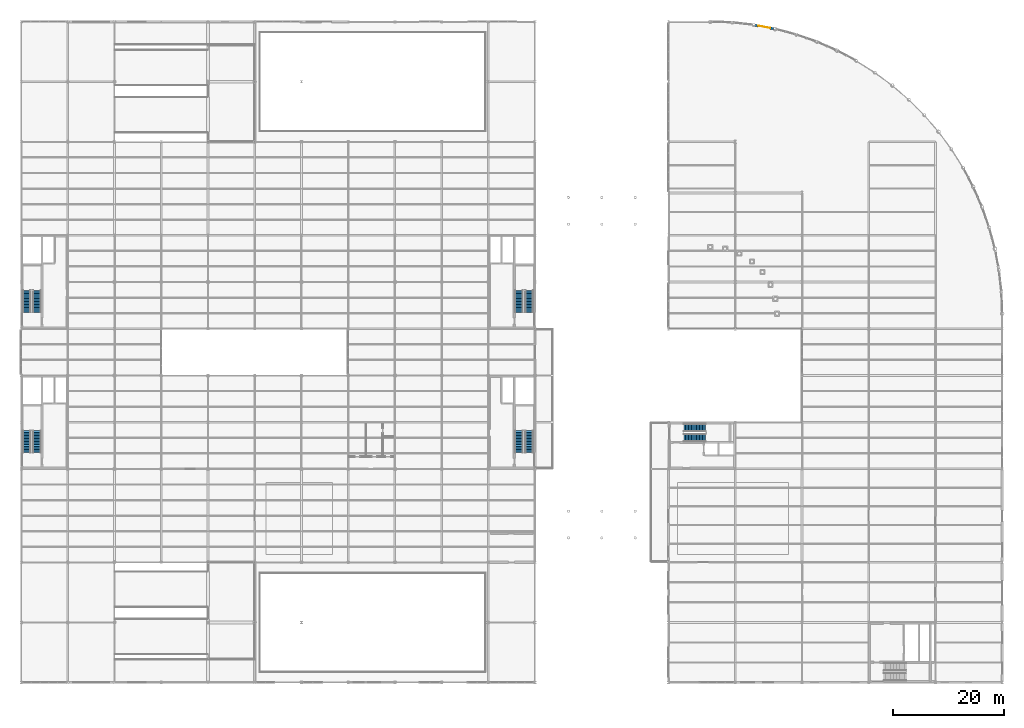
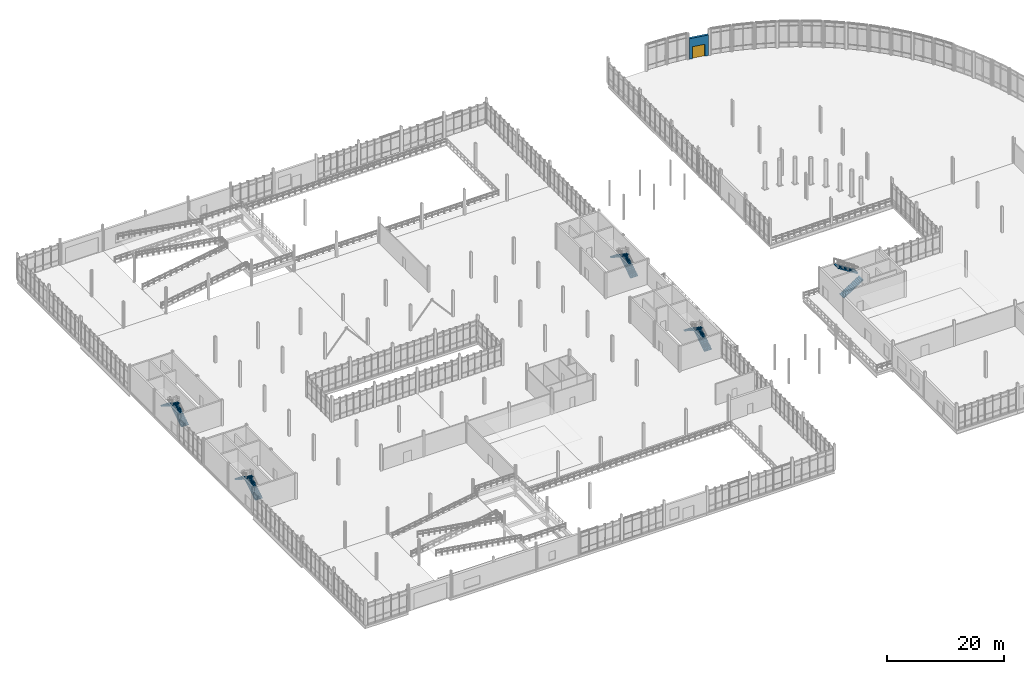
# One storey, part 102 of 111: 10 stair flights, 1 door, 1 wall, 1 opening, 5 elements without a shape of their own.
"""IFC4 building model written with IfcOpenShell, lengths in metres."""

from ifc_helpers import new_model, si_unit, direction, frame, frame_2d, origin, place, context, subcontext, project, spatial, polyline, rectangle, outline, extrude, material, layer, layer_set, type_object, element, fill, aggregate, save


model = new_model("IFC4")

# Units and contexts
model_context = context("Model", 3, precision=1e-05, world=origin(), true_north=direction((0.0, 1.0)))
body_context = subcontext(model_context, "Body", "Model", "MODEL_VIEW")
ifc_project = project(units=[si_unit("LENGTHUNIT", "METRE"), si_unit("AREAUNIT", "SQUARE_METRE"), si_unit("VOLUMEUNIT", "CUBIC_METRE"), si_unit("PLANEANGLEUNIT", "RADIAN"), si_unit("MASSUNIT", "GRAM", prefix="KILO"), si_unit("THERMODYNAMICTEMPERATUREUNIT", "KELVIN"), si_unit("POWERUNIT", "WATT")], contexts=[model_context])

# Site, building, storey
site_placement = place(None, origin())
site = spatial("IfcSite", under=ifc_project, at=site_placement, CompositionType="ELEMENT")
building_placement = place(site_placement, origin())
building = spatial("IfcBuilding", under=site, at=building_placement, Name="Tembeka Court Mobility Hub", CompositionType="ELEMENT")
storey_placement = place(building_placement, origin())
storey = spatial("IfcBuildingStorey", under=building, at=storey_placement, Name="L00", CompositionType="ELEMENT", Elevation=0.0)

# Wall, opening, door
ifc_material_1 = material(Name="Insulated Nairobi volcanic-tuff masonry", Category="masonry")
ifc_layer = layer(ifc_material_1, 0.419921875)
ifc_layer_set = layer_set([ifc_layer], Name="Insulated Nairobi volcanic-tuff masonry")
wall_type = type_object("IfcWallType", Name="WL-EW01", PredefinedType="STANDARD", material=ifc_layer_set)
wall_placement = place(storey_placement, frame((135.28466796875, 117.5400390625, 0.0), z_axis=(0.0, 0.0, 1.0), x_axis=(-0.982566670318, 0.185910565542, 0.0)))
wall = element("IfcWall", 1, at=wall_placement, inside=storey, type_object=wall_type, Name="External wall EW01 (EW-L00-0070)", PredefinedType="STANDARD", context=body_context, shape_type="SweptSolid", body=[
    extrude(rectangle(XDim=3.37109375, YDim=0.419921875, at=frame_2d((1.685546875, 0.0))), origin(), (0.0, 0.0, 1.0), 4.300048828125),
])
opening_placement = place(wall_placement, frame((0.62109375, 0.0, 0.0)))
opening = element("IfcOpeningElement", 2, at=opening_placement, cuts=wall, Name="Opening E09", PredefinedType="OPENING", context=body_context, shape_type="SweptSolid", body=[
    extrude(rectangle(XDim=2.199951171875, YDim=2.5, at=frame_2d((1.10009765625, 1.25))), frame((0.0, 0.219970703125, 0.0), z_axis=(0.0, -1.0, 0.0), x_axis=(1.0, 0.0, 0.0)), (0.0, 0.0, 1.0), 0.43994140625),
])
ifc_material_2 = material(Name="Powder-coated aluminium glazed doorset", Category="aluminium")
door_type = type_object("IfcDoorType", Name="DR-E09", OperationType="NOTDEFINED", PredefinedType="DOOR", material=ifc_material_2)
door_placement = place(opening_placement, frame((2.199951171875, 0.0, 0.0), z_axis=(0.0, 0.0, 1.0), x_axis=(-1.0, 0.0, 0.0)))
door = element("IfcDoor", 3, at=door_placement, inside=storey, type_object=door_type, Name="Main entrance E09 bus concourse North", OperationType="DOUBLE_DOOR_SINGLE_SWING", OverallHeight=2.5, OverallWidth=2.199951171875, PredefinedType="DOOR", context=body_context, shape_type="SweptSolid", body=[
    extrude(rectangle(XDim=2.199951171875, YDim=2.5, at=frame_2d((1.10009765625, 1.25))), frame((0.0, 0.02490234375, 0.0), z_axis=(0.0, -1.0, 0.0), x_axis=(1.0, 0.0, 0.0)), (0.0, 0.0, 1.0), 0.050048828125),
])
fill(opening, door)

# Stair, stair flights
ifc_material_3 = material(Name="Concrete C40/50", Category="concrete")
stair_type_1 = type_object("IfcStairType", Name="STR-ST01L00", PredefinedType="HALF_TURN_STAIR", material=ifc_material_3)
stair_1_placement = place(storey_placement, origin())
stair_1 = element("IfcStair", 4, at=stair_1_placement, inside=storey, type_object=stair_type_1, Name="Protected exit stair ST01 (L00)", PredefinedType="HALF_TURN_STAIR")
stair_flight_type_1 = type_object("IfcStairFlightType", Name="STF-ST01L00F1", PredefinedType="STRAIGHT", material=ifc_material_3)
stair_flight_1_placement = place(storey_placement, frame((2.875, 41.35009765625, 0.0), z_axis=(0.0, 0.0, 1.0), x_axis=(0.0, 1.0, 0.0)))
stair_flight_1 = element("IfcStairFlight", 5, at=stair_flight_1_placement, type_object=stair_flight_type_1, Name="ST01L00 flight 1", NumberOfRisers=15, NumberOfTreads=14, PredefinedType="STRAIGHT", RiserHeight=0.18, TreadLength=0.28, context=body_context, shape_type="SweptSolid", body=[
    extrude(outline(polyline([(0.0, 0.0), (0.0, 0.179931640625), (0.280029296875, 0.179931640625), (0.280029296875, 0.360107421875), (0.56005859375, 0.360107421875), (0.56005859375, 0.5400390625), (0.840087890625, 0.5400390625), (0.840087890625, 0.719970703125), (1.1201171875, 0.719970703125), (1.1201171875, 0.89990234375), (1.39990234375, 0.89990234375), (1.39990234375, 1.080078125), (1.679931640625, 1.080078125), (1.679931640625, 1.260009765625), (1.9599609375, 1.260009765625), (1.9599609375, 1.43994140625), (2.239990234375, 1.43994140625), (2.239990234375, 1.6201171875), (2.52001953125, 1.6201171875), (2.52001953125, 1.800048828125), (2.800048828125, 1.800048828125), (2.800048828125, 1.97998046875), (3.080078125, 1.97998046875), (3.080078125, 2.159912109375), (3.360107421875, 2.159912109375), (3.360107421875, 2.340087890625), (3.639892578125, 2.340087890625), (3.639892578125, 2.52001953125), (3.919921875, 2.52001953125), (3.919921875, 2.699951171875), (3.919921875, 2.341796875), (0.277099609375, 0.0), (0.0, 0.0)])), frame((0.0, 0.72509765625, 0.0), z_axis=(0.0, -1.0, 0.0), x_axis=(1.0, 0.0, 0.0)), (0.0, 0.0, 1.0), 1.449951171875),
])
stair_flight_type_2 = type_object("IfcStairFlightType", Name="STF-ST01L00F2", PredefinedType="STRAIGHT", material=ifc_material_3)
stair_flight_2_placement = place(storey_placement, frame((1.02490234375, 45.27001953125, 2.699951171875), z_axis=(0.0, 0.0, 1.0), x_axis=(0.0, -1.0, 0.0)))
stair_flight_2 = element("IfcStairFlight", 6, at=stair_flight_2_placement, type_object=stair_flight_type_2, Name="ST01L00 flight 2", NumberOfRisers=15, NumberOfTreads=14, PredefinedType="STRAIGHT", RiserHeight=0.18, TreadLength=0.28, context=body_context, shape_type="SweptSolid", body=[
    extrude(outline(polyline([(0.0, 0.0), (0.0, 0.179931640625), (0.280029296875, 0.179931640625), (0.280029296875, 0.360107421875), (0.56005859375, 0.360107421875), (0.56005859375, 0.5400390625), (0.840087890625, 0.5400390625), (0.840087890625, 0.719970703125), (1.1201171875, 0.719970703125), (1.1201171875, 0.89990234375), (1.39990234375, 0.89990234375), (1.39990234375, 1.080078125), (1.679931640625, 1.080078125), (1.679931640625, 1.260009765625), (1.9599609375, 1.260009765625), (1.9599609375, 1.43994140625), (2.239990234375, 1.43994140625), (2.239990234375, 1.6201171875), (2.52001953125, 1.6201171875), (2.52001953125, 1.800048828125), (2.800048828125, 1.800048828125), (2.800048828125, 1.97998046875), (3.080078125, 1.97998046875), (3.080078125, 2.159912109375), (3.360107421875, 2.159912109375), (3.360107421875, 2.340087890625), (3.639892578125, 2.340087890625), (3.639892578125, 2.52001953125), (3.919921875, 2.52001953125), (3.919921875, 2.699951171875), (3.919921875, 2.341796875), (0.277099609375, 0.0), (0.0, 0.0)])), frame((0.0, 0.72509765625, 0.0), z_axis=(0.0, -1.0, 0.0), x_axis=(1.0, 0.0, 0.0)), (0.0, 0.0, 1.0), 1.449951171875),
])
aggregate(stair_1, [stair_flight_1, stair_flight_2])

stair_type_2 = type_object("IfcStairType", Name="STR-ST02L00", PredefinedType="HALF_TURN_STAIR", material=ifc_material_3)
stair_2_placement = place(storey_placement, origin())
stair_2 = element("IfcStair", 7, at=stair_2_placement, inside=storey, type_object=stair_type_2, Name="Protected exit stair ST02 (L00)", PredefinedType="HALF_TURN_STAIR")
stair_flight_type_3 = type_object("IfcStairFlightType", Name="STF-ST02L00F1", PredefinedType="STRAIGHT", material=ifc_material_3)
stair_flight_3_placement = place(storey_placement, frame((91.375, 66.550048828125, 0.0), z_axis=(0.0, 0.0, 1.0), x_axis=(0.0, 1.0, 0.0)))
stair_flight_3 = element("IfcStairFlight", 8, at=stair_flight_3_placement, type_object=stair_flight_type_3, Name="ST02L00 flight 1", NumberOfRisers=15, NumberOfTreads=14, PredefinedType="STRAIGHT", RiserHeight=0.18, TreadLength=0.28, context=body_context, shape_type="SweptSolid", body=[
    extrude(outline(polyline([(0.0, 0.0), (0.0, 0.179931640625), (0.280029296875, 0.179931640625), (0.280029296875, 0.360107421875), (0.56005859375, 0.360107421875), (0.56005859375, 0.5400390625), (0.840087890625, 0.5400390625), (0.840087890625, 0.719970703125), (1.1201171875, 0.719970703125), (1.1201171875, 0.89990234375), (1.39990234375, 0.89990234375), (1.39990234375, 1.080078125), (1.679931640625, 1.080078125), (1.679931640625, 1.260009765625), (1.9599609375, 1.260009765625), (1.9599609375, 1.43994140625), (2.239990234375, 1.43994140625), (2.239990234375, 1.6201171875), (2.52001953125, 1.6201171875), (2.52001953125, 1.800048828125), (2.800048828125, 1.800048828125), (2.800048828125, 1.97998046875), (3.080078125, 1.97998046875), (3.080078125, 2.159912109375), (3.360107421875, 2.159912109375), (3.360107421875, 2.340087890625), (3.639892578125, 2.340087890625), (3.639892578125, 2.52001953125), (3.919921875, 2.52001953125), (3.919921875, 2.699951171875), (3.919921875, 2.341796875), (0.277099609375, 0.0), (0.0, 0.0)])), frame((0.0, 0.72509765625, 0.0), z_axis=(0.0, -1.0, 0.0), x_axis=(1.0, 0.0, 0.0)), (0.0, 0.0, 1.0), 1.449951171875),
])
stair_flight_type_4 = type_object("IfcStairFlightType", Name="STF-ST02L00F2", PredefinedType="STRAIGHT", material=ifc_material_3)
stair_flight_4_placement = place(storey_placement, frame((89.52490234375, 70.469970703125, 2.699951171875), z_axis=(0.0, 0.0, 1.0), x_axis=(0.0, -1.0, 0.0)))
stair_flight_4 = element("IfcStairFlight", 9, at=stair_flight_4_placement, type_object=stair_flight_type_4, Name="ST02L00 flight 2", NumberOfRisers=15, NumberOfTreads=14, PredefinedType="STRAIGHT", RiserHeight=0.18, TreadLength=0.28, context=body_context, shape_type="SweptSolid", body=[
    extrude(outline(polyline([(0.0, 0.0), (0.0, 0.179931640625), (0.280029296875, 0.179931640625), (0.280029296875, 0.360107421875), (0.56005859375, 0.360107421875), (0.56005859375, 0.5400390625), (0.840087890625, 0.5400390625), (0.840087890625, 0.719970703125), (1.1201171875, 0.719970703125), (1.1201171875, 0.89990234375), (1.39990234375, 0.89990234375), (1.39990234375, 1.080078125), (1.679931640625, 1.080078125), (1.679931640625, 1.260009765625), (1.9599609375, 1.260009765625), (1.9599609375, 1.43994140625), (2.239990234375, 1.43994140625), (2.239990234375, 1.6201171875), (2.52001953125, 1.6201171875), (2.52001953125, 1.800048828125), (2.800048828125, 1.800048828125), (2.800048828125, 1.97998046875), (3.080078125, 1.97998046875), (3.080078125, 2.159912109375), (3.360107421875, 2.159912109375), (3.360107421875, 2.340087890625), (3.639892578125, 2.340087890625), (3.639892578125, 2.52001953125), (3.919921875, 2.52001953125), (3.919921875, 2.699951171875), (3.919921875, 2.341796875), (0.277099609375, 0.0), (0.0, 0.0)])), frame((0.0, 0.72509765625, 0.0), z_axis=(0.0, -1.0, 0.0), x_axis=(1.0, 0.0, 0.0)), (0.0, 0.0, 1.0), 1.449951171875),
])
aggregate(stair_2, [stair_flight_3, stair_flight_4])

stair_type_3 = type_object("IfcStairType", Name="STR-ST03L00", PredefinedType="HALF_TURN_STAIR", material=ifc_material_3)
stair_3_placement = place(storey_placement, origin())
stair_3 = element("IfcStair", 10, at=stair_3_placement, inside=storey, type_object=stair_type_3, Name="Protected exit stair ST03 (L00)", PredefinedType="HALF_TURN_STAIR")
stair_flight_type_5 = type_object("IfcStairFlightType", Name="STF-ST03L00F1", PredefinedType="STRAIGHT", material=ifc_material_3)
stair_flight_5_placement = place(storey_placement, frame((2.875, 66.550048828125, 0.0), z_axis=(0.0, 0.0, 1.0), x_axis=(0.0, 1.0, 0.0)))
stair_flight_5 = element("IfcStairFlight", 11, at=stair_flight_5_placement, type_object=stair_flight_type_5, Name="ST03L00 flight 1", NumberOfRisers=15, NumberOfTreads=14, PredefinedType="STRAIGHT", RiserHeight=0.18, TreadLength=0.28, context=body_context, shape_type="SweptSolid", body=[
    extrude(outline(polyline([(0.0, 0.0), (0.0, 0.179931640625), (0.280029296875, 0.179931640625), (0.280029296875, 0.360107421875), (0.56005859375, 0.360107421875), (0.56005859375, 0.5400390625), (0.840087890625, 0.5400390625), (0.840087890625, 0.719970703125), (1.1201171875, 0.719970703125), (1.1201171875, 0.89990234375), (1.39990234375, 0.89990234375), (1.39990234375, 1.080078125), (1.679931640625, 1.080078125), (1.679931640625, 1.260009765625), (1.9599609375, 1.260009765625), (1.9599609375, 1.43994140625), (2.239990234375, 1.43994140625), (2.239990234375, 1.6201171875), (2.52001953125, 1.6201171875), (2.52001953125, 1.800048828125), (2.800048828125, 1.800048828125), (2.800048828125, 1.97998046875), (3.080078125, 1.97998046875), (3.080078125, 2.159912109375), (3.360107421875, 2.159912109375), (3.360107421875, 2.340087890625), (3.639892578125, 2.340087890625), (3.639892578125, 2.52001953125), (3.919921875, 2.52001953125), (3.919921875, 2.699951171875), (3.919921875, 2.341796875), (0.277099609375, 0.0), (0.0, 0.0)])), frame((0.0, 0.72509765625, 0.0), z_axis=(0.0, -1.0, 0.0), x_axis=(1.0, 0.0, 0.0)), (0.0, 0.0, 1.0), 1.449951171875),
])
stair_flight_type_6 = type_object("IfcStairFlightType", Name="STF-ST03L00F2", PredefinedType="STRAIGHT", material=ifc_material_3)
stair_flight_6_placement = place(storey_placement, frame((1.02490234375, 70.469970703125, 2.699951171875), z_axis=(0.0, 0.0, 1.0), x_axis=(0.0, -1.0, 0.0)))
stair_flight_6 = element("IfcStairFlight", 12, at=stair_flight_6_placement, type_object=stair_flight_type_6, Name="ST03L00 flight 2", NumberOfRisers=15, NumberOfTreads=14, PredefinedType="STRAIGHT", RiserHeight=0.18, TreadLength=0.28, context=body_context, shape_type="SweptSolid", body=[
    extrude(outline(polyline([(0.0, 0.0), (0.0, 0.179931640625), (0.280029296875, 0.179931640625), (0.280029296875, 0.360107421875), (0.56005859375, 0.360107421875), (0.56005859375, 0.5400390625), (0.840087890625, 0.5400390625), (0.840087890625, 0.719970703125), (1.1201171875, 0.719970703125), (1.1201171875, 0.89990234375), (1.39990234375, 0.89990234375), (1.39990234375, 1.080078125), (1.679931640625, 1.080078125), (1.679931640625, 1.260009765625), (1.9599609375, 1.260009765625), (1.9599609375, 1.43994140625), (2.239990234375, 1.43994140625), (2.239990234375, 1.6201171875), (2.52001953125, 1.6201171875), (2.52001953125, 1.800048828125), (2.800048828125, 1.800048828125), (2.800048828125, 1.97998046875), (3.080078125, 1.97998046875), (3.080078125, 2.159912109375), (3.360107421875, 2.159912109375), (3.360107421875, 2.340087890625), (3.639892578125, 2.340087890625), (3.639892578125, 2.52001953125), (3.919921875, 2.52001953125), (3.919921875, 2.699951171875), (3.919921875, 2.341796875), (0.277099609375, 0.0), (0.0, 0.0)])), frame((0.0, 0.72509765625, 0.0), z_axis=(0.0, -1.0, 0.0), x_axis=(1.0, 0.0, 0.0)), (0.0, 0.0, 1.0), 1.449951171875),
])
aggregate(stair_3, [stair_flight_5, stair_flight_6])

stair_type_4 = type_object("IfcStairType", Name="STR-ST04L00", PredefinedType="HALF_TURN_STAIR", material=ifc_material_3)
stair_4_placement = place(storey_placement, origin())
stair_4 = element("IfcStair", 13, at=stair_4_placement, inside=storey, type_object=stair_type_4, Name="Protected exit stair ST04 (L00)", PredefinedType="HALF_TURN_STAIR")
stair_flight_type_7 = type_object("IfcStairFlightType", Name="STF-ST04L00F1", PredefinedType="STRAIGHT", material=ifc_material_3)
stair_flight_7_placement = place(storey_placement, frame((91.375, 41.35009765625, 0.0), z_axis=(0.0, 0.0, 1.0), x_axis=(0.0, 1.0, 0.0)))
stair_flight_7 = element("IfcStairFlight", 14, at=stair_flight_7_placement, type_object=stair_flight_type_7, Name="ST04L00 flight 1", NumberOfRisers=15, NumberOfTreads=14, PredefinedType="STRAIGHT", RiserHeight=0.18, TreadLength=0.28, context=body_context, shape_type="SweptSolid", body=[
    extrude(outline(polyline([(0.0, 0.0), (0.0, 0.179931640625), (0.280029296875, 0.179931640625), (0.280029296875, 0.360107421875), (0.56005859375, 0.360107421875), (0.56005859375, 0.5400390625), (0.840087890625, 0.5400390625), (0.840087890625, 0.719970703125), (1.1201171875, 0.719970703125), (1.1201171875, 0.89990234375), (1.39990234375, 0.89990234375), (1.39990234375, 1.080078125), (1.679931640625, 1.080078125), (1.679931640625, 1.260009765625), (1.9599609375, 1.260009765625), (1.9599609375, 1.43994140625), (2.239990234375, 1.43994140625), (2.239990234375, 1.6201171875), (2.52001953125, 1.6201171875), (2.52001953125, 1.800048828125), (2.800048828125, 1.800048828125), (2.800048828125, 1.97998046875), (3.080078125, 1.97998046875), (3.080078125, 2.159912109375), (3.360107421875, 2.159912109375), (3.360107421875, 2.340087890625), (3.639892578125, 2.340087890625), (3.639892578125, 2.52001953125), (3.919921875, 2.52001953125), (3.919921875, 2.699951171875), (3.919921875, 2.341796875), (0.277099609375, 0.0), (0.0, 0.0)])), frame((0.0, 0.72509765625, 0.0), z_axis=(0.0, -1.0, 0.0), x_axis=(1.0, 0.0, 0.0)), (0.0, 0.0, 1.0), 1.449951171875),
])
stair_flight_type_8 = type_object("IfcStairFlightType", Name="STF-ST04L00F2", PredefinedType="STRAIGHT", material=ifc_material_3)
stair_flight_8_placement = place(storey_placement, frame((89.52490234375, 45.27001953125, 2.699951171875), z_axis=(0.0, 0.0, 1.0), x_axis=(0.0, -1.0, 0.0)))
stair_flight_8 = element("IfcStairFlight", 15, at=stair_flight_8_placement, type_object=stair_flight_type_8, Name="ST04L00 flight 2", NumberOfRisers=15, NumberOfTreads=14, PredefinedType="STRAIGHT", RiserHeight=0.18, TreadLength=0.28, context=body_context, shape_type="SweptSolid", body=[
    extrude(outline(polyline([(0.0, 0.0), (0.0, 0.179931640625), (0.280029296875, 0.179931640625), (0.280029296875, 0.360107421875), (0.56005859375, 0.360107421875), (0.56005859375, 0.5400390625), (0.840087890625, 0.5400390625), (0.840087890625, 0.719970703125), (1.1201171875, 0.719970703125), (1.1201171875, 0.89990234375), (1.39990234375, 0.89990234375), (1.39990234375, 1.080078125), (1.679931640625, 1.080078125), (1.679931640625, 1.260009765625), (1.9599609375, 1.260009765625), (1.9599609375, 1.43994140625), (2.239990234375, 1.43994140625), (2.239990234375, 1.6201171875), (2.52001953125, 1.6201171875), (2.52001953125, 1.800048828125), (2.800048828125, 1.800048828125), (2.800048828125, 1.97998046875), (3.080078125, 1.97998046875), (3.080078125, 2.159912109375), (3.360107421875, 2.159912109375), (3.360107421875, 2.340087890625), (3.639892578125, 2.340087890625), (3.639892578125, 2.52001953125), (3.919921875, 2.52001953125), (3.919921875, 2.699951171875), (3.919921875, 2.341796875), (0.277099609375, 0.0), (0.0, 0.0)])), frame((0.0, 0.72509765625, 0.0), z_axis=(0.0, -1.0, 0.0), x_axis=(1.0, 0.0, 0.0)), (0.0, 0.0, 1.0), 1.449951171875),
])
aggregate(stair_4, [stair_flight_7, stair_flight_8])

stair_type_5 = type_object("IfcStairType", Name="STR-ST05L00", PredefinedType="HALF_TURN_STAIR", material=ifc_material_3)
stair_5_placement = place(storey_placement, origin())
stair_5 = element("IfcStair", 16, at=stair_5_placement, inside=storey, type_object=stair_type_5, Name="Protected exit stair ST05 (L00)", PredefinedType="HALF_TURN_STAIR")
stair_flight_type_9 = type_object("IfcStairFlightType", Name="STF-ST05L00F1", PredefinedType="STRAIGHT", material=ifc_material_3)
stair_flight_9_placement = place(storey_placement, frame((119.14990234375, 44.0, 0.0), z_axis=(0.0, 0.0, 1.0), x_axis=(1.0, 0.0, 0.0)))
stair_flight_9 = element("IfcStairFlight", 17, at=stair_flight_9_placement, type_object=stair_flight_type_9, Name="ST05L00 flight 1", NumberOfRisers=15, NumberOfTreads=14, PredefinedType="STRAIGHT", RiserHeight=0.18, TreadLength=0.28, context=body_context, shape_type="SweptSolid", body=[
    extrude(outline(polyline([(0.0, 0.0), (0.0, 0.179931640625), (0.280029296875, 0.179931640625), (0.280029296875, 0.360107421875), (0.56005859375, 0.360107421875), (0.56005859375, 0.5400390625), (0.840087890625, 0.5400390625), (0.840087890625, 0.719970703125), (1.1201171875, 0.719970703125), (1.1201171875, 0.89990234375), (1.39990234375, 0.89990234375), (1.39990234375, 1.080078125), (1.679931640625, 1.080078125), (1.679931640625, 1.260009765625), (1.9599609375, 1.260009765625), (1.9599609375, 1.43994140625), (2.239990234375, 1.43994140625), (2.239990234375, 1.6201171875), (2.52001953125, 1.6201171875), (2.52001953125, 1.800048828125), (2.800048828125, 1.800048828125), (2.800048828125, 1.97998046875), (3.080078125, 1.97998046875), (3.080078125, 2.159912109375), (3.360107421875, 2.159912109375), (3.360107421875, 2.340087890625), (3.639892578125, 2.340087890625), (3.639892578125, 2.52001953125), (3.919921875, 2.52001953125), (3.919921875, 2.699951171875), (3.919921875, 2.341796875), (0.277099609375, 0.0), (0.0, 0.0)])), frame((0.0, 0.699951171875, 0.0), z_axis=(0.0, -1.0, 0.0), x_axis=(1.0, 0.0, 0.0)), (0.0, 0.0, 1.0), 1.39990234375),
])
stair_flight_type_10 = type_object("IfcStairFlightType", Name="STF-ST05L00F2", PredefinedType="STRAIGHT", material=ifc_material_3)
stair_flight_10_placement = place(storey_placement, frame((123.070068359375, 45.800048828125, 2.699951171875), z_axis=(0.0, 0.0, 1.0), x_axis=(-1.0, 0.0, 0.0)))
stair_flight_10 = element("IfcStairFlight", 18, at=stair_flight_10_placement, type_object=stair_flight_type_10, Name="ST05L00 flight 2", NumberOfRisers=15, NumberOfTreads=14, PredefinedType="STRAIGHT", RiserHeight=0.18, TreadLength=0.28, context=body_context, shape_type="SweptSolid", body=[
    extrude(outline(polyline([(0.0, 0.0), (0.0, 0.179931640625), (0.280029296875, 0.179931640625), (0.280029296875, 0.360107421875), (0.56005859375, 0.360107421875), (0.56005859375, 0.5400390625), (0.840087890625, 0.5400390625), (0.840087890625, 0.719970703125), (1.1201171875, 0.719970703125), (1.1201171875, 0.89990234375), (1.39990234375, 0.89990234375), (1.39990234375, 1.080078125), (1.679931640625, 1.080078125), (1.679931640625, 1.260009765625), (1.9599609375, 1.260009765625), (1.9599609375, 1.43994140625), (2.239990234375, 1.43994140625), (2.239990234375, 1.6201171875), (2.52001953125, 1.6201171875), (2.52001953125, 1.800048828125), (2.800048828125, 1.800048828125), (2.800048828125, 1.97998046875), (3.080078125, 1.97998046875), (3.080078125, 2.159912109375), (3.360107421875, 2.159912109375), (3.360107421875, 2.340087890625), (3.639892578125, 2.340087890625), (3.639892578125, 2.52001953125), (3.919921875, 2.52001953125), (3.919921875, 2.699951171875), (3.919921875, 2.341796875), (0.277099609375, 0.0), (0.0, 0.0)])), frame((0.0, 0.699951171875, 0.0), z_axis=(0.0, -1.0, 0.0), x_axis=(1.0, 0.0, 0.0)), (0.0, 0.0, 1.0), 1.39990234375),
])
aggregate(stair_5, [stair_flight_9, stair_flight_10])

save(model, "model.ifc")
